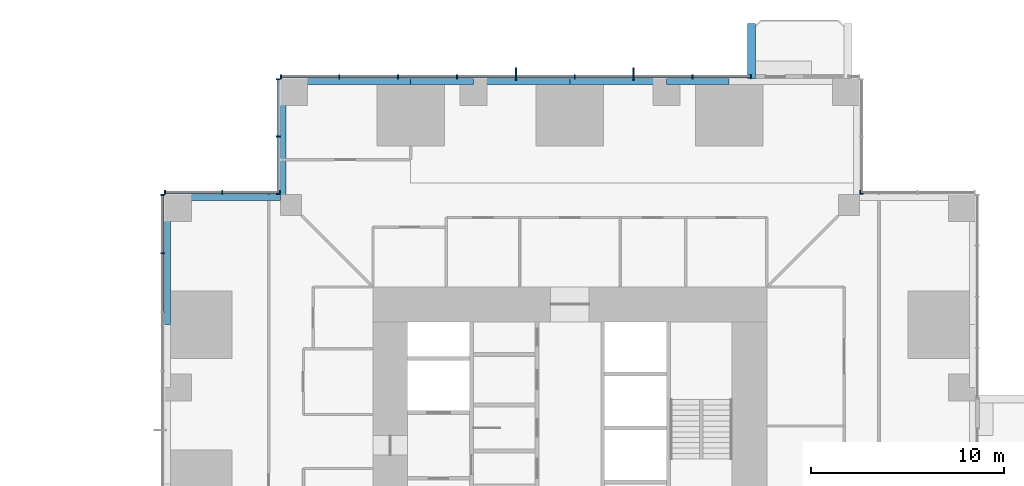
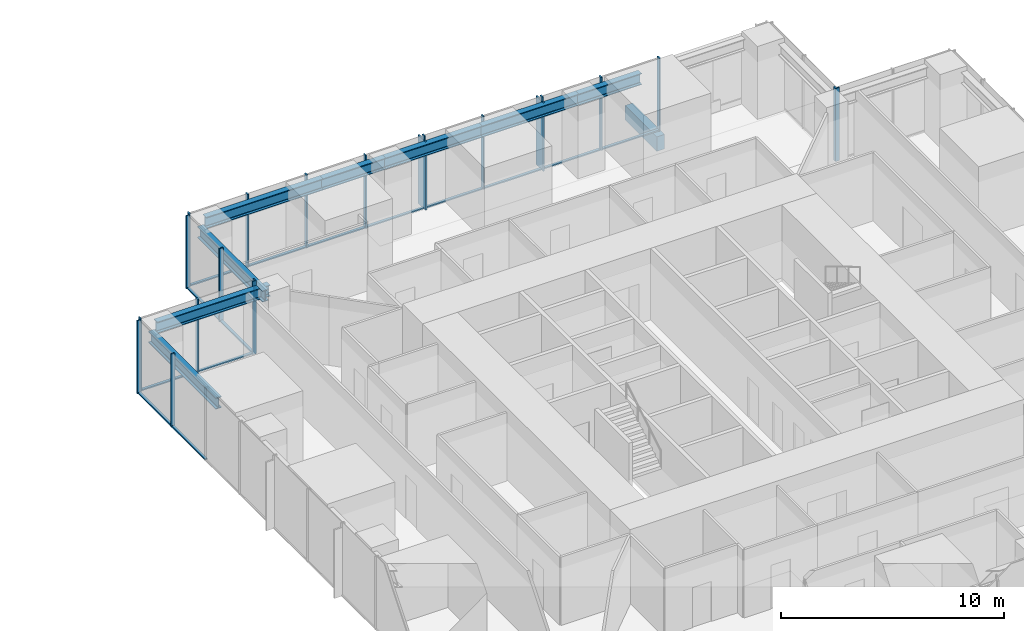
# One storey, part 4 of 16: 35 members, 9 beams, 6 elements without a shape of their own.
"""IFC4 building model written with IfcOpenShell, lengths in metres."""

import ifcopenshell
import ifcopenshell.guid

model = None  # the IFC model being written
_history = None  # IfcOwnerHistory: only IFC2X3 demands one
_inside = {}  # id of a spatial element -> (the spatial element, [elements in it])
_under = {}  # id of a project, library or spatial element -> (it, [spatial elements below it])
_declared = {}  # id of a project -> (the project, [libraries it declares])
_typed = {}  # id of a type object -> (the type object, [elements of that type])
_made_of = {}  # id of a material, layer set ... -> (it, [elements and type objects made of it])


def new_model(schema):
    """Start an empty IFC model of exactly this schema.

    Asked for "IFC4X3", IfcOpenShell would pick the latest addendum, in which some entities
    have other attributes; the version numbers below select the first issue.
    IFC2X3 requires an IfcOwnerHistory on every rooted entity: one is made here for all.
    """
    global model, _history
    if schema == "IFC4X3":
        model = ifcopenshell.file(schema_version=(4, 3, 0, 0))
    else:
        model = ifcopenshell.file(schema=schema)
    _inside.clear()
    _under.clear()
    _declared.clear()
    _typed.clear()
    _made_of.clear()
    _history = None
    if model.schema == "IFC2X3":
        org = make("IfcOrganization", Name="unknown")
        user = make(
            "IfcPersonAndOrganization",
            ThePerson=make("IfcPerson", FamilyName="unknown"),
            TheOrganization=org,
        )
        app = make(
            "IfcApplication",
            ApplicationDeveloper=org,
            Version="unknown",
            ApplicationFullName="unknown",
            ApplicationIdentifier="unknown",
        )
        _history = make(
            "IfcOwnerHistory",
            OwningUser=user,
            OwningApplication=app,
            ChangeAction="ADDED",
            CreationDate=0,
        )
    return model


def make(cls, **values):
    """One entity of the class cls with the attributes given. An attribute that is None is left unset."""
    return model.create_entity(
        cls, **{name: value for name, value in values.items() if value is not None}
    )


def rooted(cls, **values):
    """An entity with a GlobalId (a new one), such as an element, a storey or a relation."""
    return make(cls, GlobalId=ifcopenshell.guid.new(), OwnerHistory=_history, **values)


def si_unit(unit_type, name, prefix=None):
    """IfcSIUnit, for example si_unit("LENGTHUNIT", "METRE", prefix="MILLI")."""
    return make("IfcSIUnit", UnitType=unit_type, Prefix=prefix, Name=name)


def assignment(units):
    """IfcUnitAssignment: the units of a project."""
    return None if units is None else make("IfcUnitAssignment", Units=units)


def point(xyz):
    """IfcCartesianPoint."""
    return None if xyz is None else make("IfcCartesianPoint", Coordinates=xyz)


def direction(xyz):
    """IfcDirection."""
    return None if xyz is None else make("IfcDirection", DirectionRatios=xyz)


def frame(location, z_axis=None, x_axis=None):
    """IfcAxis2Placement3D, a coordinate frame: its origin and axes. An axis left out is left unset."""
    return make(
        "IfcAxis2Placement3D",
        Location=point(location),
        Axis=direction(z_axis),
        RefDirection=direction(x_axis),
    )


def frame_2d(location, x_axis=None):
    """IfcAxis2Placement2D, a coordinate frame in the plane: its origin and x axis."""
    return make(
        "IfcAxis2Placement2D", Location=point(location), RefDirection=direction(x_axis)
    )


def origin():
    """The frame at (0, 0, 0) with its axes left unset."""
    return frame((0.0, 0.0, 0.0))


def origin_2d():
    """The frame at (0, 0) in the plane with its x axis left unset."""
    return frame_2d((0.0, 0.0))


def place(relative_to, where):
    """IfcLocalPlacement: puts the frame where relative to a parent placement (None: the world)."""
    return make(
        "IfcLocalPlacement", PlacementRelTo=relative_to, RelativePlacement=where
    )


def context(
    kind, dimensions, precision=None, world=None, true_north=None, identifier=None
):
    """IfcGeometricRepresentationContext, for example the 3D "Model" context."""
    return make(
        "IfcGeometricRepresentationContext",
        ContextIdentifier=identifier,
        ContextType=kind,
        CoordinateSpaceDimension=dimensions,
        Precision=precision,
        WorldCoordinateSystem=world,
        TrueNorth=true_north,
    )


def subcontext(parent, identifier, kind, view, scale=None):
    """IfcGeometricRepresentationSubContext, for example "Body" below "Model"."""
    return make(
        "IfcGeometricRepresentationSubContext",
        ContextIdentifier=identifier,
        ContextType=kind,
        ParentContext=parent,
        TargetScale=scale,
        TargetView=view,
    )


def project(units=None, contexts=None):
    """IfcProject with its units and contexts."""
    return rooted(
        "IfcProject",
        Name="project",
        RepresentationContexts=contexts,
        UnitsInContext=assignment(units),
    )


def spatial(cls, under=None, at=None, **own):
    """A site, building, storey or space (cls), placed at a placement, below another one or the project."""
    s = rooted(cls, ObjectPlacement=at, **own)
    if under is not None:
        _under.setdefault(under.id(), (under, []))[1].append(s)
    return s


def profile(cls, at=None, kind="AREA", **sizes):
    """A parametric profile (cls). Its sizes go by their IFC names, for example OverallWidth=200.0."""
    return make(cls, ProfileType=kind, Position=at, **sizes)


def rectangle(**sizes):
    """IfcRectangleProfileDef."""
    return profile("IfcRectangleProfileDef", **sizes)


def i_section(**sizes):
    """IfcIShapeProfileDef."""
    return profile("IfcIShapeProfileDef", **sizes)


def extrude(swept, where, along, depth):
    """IfcExtrudedAreaSolid: the profile swept, set in the frame where, extruded along a direction by depth."""
    return make(
        "IfcExtrudedAreaSolid",
        SweptArea=swept,
        Position=where,
        ExtrudedDirection=direction(along),
        Depth=depth,
    )


def shape(context_of_items, identifier, shape_type, items):
    """IfcShapeRepresentation: the items that make up one representation, for example the "Body"."""
    return make(
        "IfcShapeRepresentation",
        ContextOfItems=context_of_items,
        RepresentationIdentifier=identifier,
        RepresentationType=shape_type,
        Items=items,
    )


def material(Name=None, Category=None):
    """IfcMaterial."""
    return make("IfcMaterial", Name=Name, Category=Category)


def material_profile(
    of_material, cross_section, Name=None, Category=None, Priority=None
):
    """IfcMaterialProfile: a cross section and its material."""
    return make(
        "IfcMaterialProfile",
        Name=Name,
        Material=of_material,
        Profile=cross_section,
        Priority=Priority,
        Category=Category,
    )


def profile_set(profiles, Name=None, composite=None):
    """IfcMaterialProfileSet."""
    return make(
        "IfcMaterialProfileSet",
        Name=Name,
        MaterialProfiles=profiles,
        CompositeProfile=composite,
    )


def made_of(thing, what):
    """Note that an element or type object is made of a material, layer set ...; save() writes the relation."""
    if what is not None:
        _made_of.setdefault(what.id(), (what, []))[1].append(thing)
    return thing


def type_object(cls, material=None, **own):
    """A type object (cls), such as IfcWallType, which elements share."""
    return made_of(rooted(cls, **own), material)


def element(
    cls,
    number,
    at=None,
    inside=None,
    cuts=None,
    type_object=None,
    material=None,
    context=None,
    identifier="Body",
    shape_type=None,
    held_by="IfcProductDefinitionShape",
    body=None,
    shapes=None,
    **own,
):
    """One element of the class cls, such as IfcWall. Its Tag is "e" and its number.

    at: its placement. inside: the storey or other place that contains it. cuts: it is an
    opening in that element (IfcRelVoidsElement). A single representation is given by context,
    identifier, shape_type and body (its items); several are given by shapes. held_by: the class
    of the entity that holds the representations. save() writes the other relations.
    """
    e = rooted(cls, Tag="e%d" % number, ObjectPlacement=at, **own)
    if body is not None:
        shapes = [shape(context, identifier, shape_type, body)]
    if shapes is not None:
        e.Representation = make(held_by, Representations=shapes)
    if inside is not None:
        _inside.setdefault(inside.id(), (inside, []))[1].append(e)
    if cuts is not None:
        rooted(
            "IfcRelVoidsElement", RelatingBuildingElement=cuts, RelatedOpeningElement=e
        )
    if type_object is not None:
        _typed.setdefault(type_object.id(), (type_object, []))[1].append(e)
    return made_of(e, material)


def aggregate(whole, parts):
    """IfcRelAggregates: a whole, such as a stair, and the parts it consists of."""
    return rooted("IfcRelAggregates", RelatingObject=whole, RelatedObjects=parts)


def save(model, path):
    """Write the relations noted so far, then the file.

    IfcRelAggregates (storeys below a building ...), IfcRelContainedInSpatialStructure (elements
    in a storey), IfcRelDefinesByType, IfcRelAssociatesMaterial and IfcRelDeclares: one each for
    every whole, place, type object, material and project.
    """
    for whole, parts in _under.values():
        aggregate(whole, parts)
    for where, things in _inside.values():
        rooted(
            "IfcRelContainedInSpatialStructure",
            RelatedElements=things,
            RelatingStructure=where,
        )
    for kind, things in _typed.values():
        rooted("IfcRelDefinesByType", RelatedObjects=things, RelatingType=kind)
    for what, things in _made_of.values():
        rooted("IfcRelAssociatesMaterial", RelatedObjects=things, RelatingMaterial=what)
    for by, libraries in _declared.values():
        rooted("IfcRelDeclares", RelatingContext=by, RelatedDefinitions=libraries)
    model.write(path)


model = new_model("IFC4")

# Units and contexts
model_context = context("Model", 3, precision=1e-05, world=origin(), true_north=direction((0.0, 1.0)))
body_context = subcontext(model_context, "Body", "Model", "MODEL_VIEW")
ifc_project = project(units=[si_unit("LENGTHUNIT", "METRE"), si_unit("AREAUNIT", "SQUARE_METRE"), si_unit("VOLUMEUNIT", "CUBIC_METRE"), si_unit("PLANEANGLEUNIT", "RADIAN"), si_unit("MASSUNIT", "GRAM", prefix="KILO")], contexts=[model_context])

# Site, building, storey
site_placement = place(None, origin())
site = spatial("IfcSite", under=ifc_project, at=site_placement, CompositionType="ELEMENT")
building_placement = place(site_placement, origin())
building = spatial("IfcBuilding", under=site, at=building_placement, Name="Svetlomir Tower", CompositionType="ELEMENT")
storey_placement = place(building_placement, frame((0.0, 0.0, 22.5)))
storey = spatial("IfcBuildingStorey", under=building, at=storey_placement, Name="L04", CompositionType="ELEMENT", Elevation=22.5)

# Beam
ifc_material_1 = material(Name="Concrete C60/75", Category="concrete")
ifc_material_profile_1 = material_profile(ifc_material_1, rectangle(XDim=0.39990234375, YDim=0.800048828125, at=origin_2d()), Name="RC 400x800")
ifc_profile_set_1 = profile_set([ifc_material_profile_1], Name="Concrete C60/75")
beam_type_1 = type_object("IfcBeamType", Name="BALCONY RIB RC 400x800", PredefinedType="BEAM", material=ifc_profile_set_1)
beam_1_placement = place(storey_placement, frame((30.39990234375, 42.0, -0.64990234375), z_axis=(0.0, 1.0, 0.0), x_axis=(-1.0, 0.0, 0.0)))
element("IfcBeam", 1, at=beam_1_placement, inside=storey, type_object=beam_type_1, Name="Balcony rib N 1 L04", PredefinedType="BEAM", context=body_context, shape_type="SweptSolid", body=[
    extrude(rectangle(XDim=0.39990234375, YDim=0.800048828125, at=origin_2d()), origin(), (0.0, 0.0, 1.0), 2.85009765625),
])

# Curtain wall, members
ifc_material_2 = material(Name="Bronze anodised aluminium curtain wall", Category="aluminium")
curtain_wall_type = type_object("IfcCurtainWallType", Name="CURTAIN WALL CW1 TOWER OFFICE", PredefinedType="NOTDEFINED", material=ifc_material_2)
curtain_wall_1_placement = place(storey_placement, origin())
curtain_wall_1 = element("IfcCurtainWall", 2, at=curtain_wall_1_placement, inside=storey, type_object=curtain_wall_type, Name="Curtain wall CW1 L04", PredefinedType="NOTDEFINED")
ifc_material_3 = material(Name="Bronze anodised aluminium", Category="aluminium")
ifc_material_profile_2 = material_profile(ifc_material_3, rectangle(XDim=0.080078125, YDim=0.64990234375, at=origin_2d()), Name="FIN 80x650")
ifc_profile_set_2 = profile_set([ifc_material_profile_2], Name="Bronze anodised aluminium 6063-T6")
member_type_1 = type_object("IfcMemberType", Name="BRONZE FIN 80x650", PredefinedType="USERDEFINED", material=ifc_profile_set_2)
member_1_placement = place(storey_placement, frame((24.300048828125, 42.22509765625, 0.0), z_axis=(0.0, 0.0, 1.0), x_axis=(1.0, 0.0, 0.0)))
member_1 = element("IfcMember", 3, at=member_1_placement, type_object=member_type_1, Name="Bronze fin L04", ObjectType="FIN", PredefinedType="USERDEFINED", context=body_context, shape_type="SweptSolid", body=[
    extrude(rectangle(XDim=0.080078125, YDim=0.64990234375, at=origin_2d()), origin(), (0.0, 0.0, 1.0), 3.75),
])
member_2_placement = place(storey_placement, frame((18.199951171875, 42.22509765625, 0.0), z_axis=(0.0, 0.0, 1.0), x_axis=(1.0, 0.0, 0.0)))
member_2 = element("IfcMember", 4, at=member_2_placement, type_object=member_type_1, Name="Bronze fin L04", ObjectType="FIN", PredefinedType="USERDEFINED", context=body_context, shape_type="SweptSolid", body=[
    extrude(rectangle(XDim=0.080078125, YDim=0.64990234375, at=origin_2d()), origin(), (0.0, 0.0, 1.0), 3.75),
])

# Curtain wall, member
curtain_wall_2_placement = place(storey_placement, origin())
curtain_wall_2 = element("IfcCurtainWall", 5, at=curtain_wall_2_placement, inside=storey, type_object=curtain_wall_type, Name="Curtain wall CW1 L04", PredefinedType="NOTDEFINED")
ifc_material_4 = material(Name="Bronze anodised aluminium", Category="aluminium")
ifc_material_profile_3 = material_profile(ifc_material_4, rectangle(XDim=0.06494140625, YDim=0.199951171875, at=origin_2d()), Name="AL 65x200")
ifc_profile_set_3 = profile_set([ifc_material_profile_3], Name="Bronze anodised aluminium 6063-T6")
member_type_2 = type_object("IfcMemberType", Name="CW1 MULLION 65x200", PredefinedType="MULLION", material=ifc_profile_set_3)
member_3_placement = place(storey_placement, frame((36.032470703125, 36.10009765625, 0.0), z_axis=(0.0, 0.0, 1.0), x_axis=(-1.0, 0.0, 0.0)))
member_3 = element("IfcMember", 6, at=member_3_placement, type_object=member_type_2, Name="CW1 mullion 3", PredefinedType="MULLION", context=body_context, shape_type="SweptSolid", body=[
    extrude(rectangle(XDim=0.06494140625, YDim=0.199951171875, at=origin_2d()), origin(), (0.0, 0.0, 1.0), 4.0),
])
aggregate(curtain_wall_2, [member_3])

curtain_wall_3_placement = place(storey_placement, origin())
curtain_wall_3 = element("IfcCurtainWall", 7, at=curtain_wall_3_placement, inside=storey, type_object=curtain_wall_type, Name="Curtain wall CW1 L04", PredefinedType="NOTDEFINED")
member_4_placement = place(storey_placement, frame((36.10009765625, 36.032470703125, 0.0), z_axis=(0.0, 0.0, 1.0), x_axis=(0.0, 1.0, 0.0)))
member_4 = element("IfcMember", 8, at=member_4_placement, type_object=member_type_2, Name="CW1 mullion 1", PredefinedType="MULLION", context=body_context, shape_type="SweptSolid", body=[
    extrude(rectangle(XDim=0.06494140625, YDim=0.199951171875, at=origin_2d()), origin(), (0.0, 0.0, 1.0), 4.0),
])
aggregate(curtain_wall_3, [member_4])

# Member
member_5_placement = place(storey_placement, frame((30.367431640625, 42.10009765625, 0.0), z_axis=(0.0, 0.0, 1.0), x_axis=(-1.0, 0.0, 0.0)))
member_5 = element("IfcMember", 9, at=member_5_placement, type_object=member_type_2, Name="CW1 mullion 1", PredefinedType="MULLION", context=body_context, shape_type="SweptSolid", body=[
    extrude(rectangle(XDim=0.06494140625, YDim=0.199951171875, at=origin_2d()), origin(), (0.0, 0.0, 1.0), 4.0),
])

member_6_placement = place(storey_placement, frame((27.35009765625, 42.10009765625, 0.0), z_axis=(0.0, 0.0, 1.0), x_axis=(-1.0, 0.0, 0.0)))
member_6 = element("IfcMember", 10, at=member_6_placement, type_object=member_type_2, Name="CW1 mullion 2", PredefinedType="MULLION", context=body_context, shape_type="SweptSolid", body=[
    extrude(rectangle(XDim=0.06494140625, YDim=0.199951171875, at=origin_2d()), origin(), (0.0, 0.0, 1.0), 4.0),
])

member_7_placement = place(storey_placement, frame((24.300048828125, 42.10009765625, 0.0), z_axis=(0.0, 0.0, 1.0), x_axis=(-1.0, 0.0, 0.0)))
member_7 = element("IfcMember", 11, at=member_7_placement, type_object=member_type_2, Name="CW1 mullion 3", PredefinedType="MULLION", context=body_context, shape_type="SweptSolid", body=[
    extrude(rectangle(XDim=0.06494140625, YDim=0.199951171875, at=origin_2d()), origin(), (0.0, 0.0, 1.0), 4.0),
])

member_8_placement = place(storey_placement, frame((21.25, 42.10009765625, 0.0), z_axis=(0.0, 0.0, 1.0), x_axis=(-1.0, 0.0, 0.0)))
member_8 = element("IfcMember", 12, at=member_8_placement, type_object=member_type_2, Name="CW1 mullion 4", PredefinedType="MULLION", context=body_context, shape_type="SweptSolid", body=[
    extrude(rectangle(XDim=0.06494140625, YDim=0.199951171875, at=origin_2d()), origin(), (0.0, 0.0, 1.0), 4.0),
])

member_9_placement = place(storey_placement, frame((18.199951171875, 42.10009765625, 0.0), z_axis=(0.0, 0.0, 1.0), x_axis=(-1.0, 0.0, 0.0)))
member_9 = element("IfcMember", 13, at=member_9_placement, type_object=member_type_2, Name="CW1 mullion 5", PredefinedType="MULLION", context=body_context, shape_type="SweptSolid", body=[
    extrude(rectangle(XDim=0.06494140625, YDim=0.199951171875, at=origin_2d()), origin(), (0.0, 0.0, 1.0), 4.0),
])

member_10_placement = place(storey_placement, frame((15.14990234375, 42.10009765625, 0.0), z_axis=(0.0, 0.0, 1.0), x_axis=(-1.0, 0.0, 0.0)))
member_10 = element("IfcMember", 14, at=member_10_placement, type_object=member_type_2, Name="CW1 mullion 6", PredefinedType="MULLION", context=body_context, shape_type="SweptSolid", body=[
    extrude(rectangle(XDim=0.06494140625, YDim=0.199951171875, at=origin_2d()), origin(), (0.0, 0.0, 1.0), 4.0),
])

member_11_placement = place(storey_placement, frame((12.10009765625, 42.10009765625, 0.0), z_axis=(0.0, 0.0, 1.0), x_axis=(-1.0, 0.0, 0.0)))
member_11 = element("IfcMember", 15, at=member_11_placement, type_object=member_type_2, Name="CW1 mullion 7", PredefinedType="MULLION", context=body_context, shape_type="SweptSolid", body=[
    extrude(rectangle(XDim=0.06494140625, YDim=0.199951171875, at=origin_2d()), origin(), (0.0, 0.0, 1.0), 4.0),
])

member_12_placement = place(storey_placement, frame((9.050048828125, 42.10009765625, 0.0), z_axis=(0.0, 0.0, 1.0), x_axis=(-1.0, 0.0, 0.0)))
member_12 = element("IfcMember", 16, at=member_12_placement, type_object=member_type_2, Name="CW1 mullion 8", PredefinedType="MULLION", context=body_context, shape_type="SweptSolid", body=[
    extrude(rectangle(XDim=0.06494140625, YDim=0.199951171875, at=origin_2d()), origin(), (0.0, 0.0, 1.0), 4.0),
])

member_13_placement = place(storey_placement, frame((6.032470703125, 42.10009765625, 0.0), z_axis=(0.0, 0.0, 1.0), x_axis=(-1.0, 0.0, 0.0)))
member_13 = element("IfcMember", 17, at=member_13_placement, type_object=member_type_2, Name="CW1 mullion 9", PredefinedType="MULLION", context=body_context, shape_type="SweptSolid", body=[
    extrude(rectangle(XDim=0.06494140625, YDim=0.199951171875, at=origin_2d()), origin(), (0.0, 0.0, 1.0), 4.0),
])

# Curtain wall, members
curtain_wall_4_placement = place(storey_placement, origin())
curtain_wall_4 = element("IfcCurtainWall", 18, at=curtain_wall_4_placement, inside=storey, type_object=curtain_wall_type, Name="Curtain wall CW1 L04", PredefinedType="NOTDEFINED")
member_14_placement = place(storey_placement, frame((5.89990234375, 41.967529296875, 0.0), z_axis=(0.0, 0.0, 1.0), x_axis=(0.0, -1.0, 0.0)))
member_14 = element("IfcMember", 19, at=member_14_placement, type_object=member_type_2, Name="CW1 mullion 1", PredefinedType="MULLION", context=body_context, shape_type="SweptSolid", body=[
    extrude(rectangle(XDim=0.06494140625, YDim=0.199951171875, at=origin_2d()), origin(), (0.0, 0.0, 1.0), 4.0),
])
member_15_placement = place(storey_placement, frame((5.89990234375, 39.0, 0.0), z_axis=(0.0, 0.0, 1.0), x_axis=(0.0, -1.0, 0.0)))
member_15 = element("IfcMember", 20, at=member_15_placement, type_object=member_type_2, Name="CW1 mullion 2", PredefinedType="MULLION", context=body_context, shape_type="SweptSolid", body=[
    extrude(rectangle(XDim=0.06494140625, YDim=0.199951171875, at=origin_2d()), origin(), (0.0, 0.0, 1.0), 4.0),
])
member_16_placement = place(storey_placement, frame((5.89990234375, 36.032470703125, 0.0), z_axis=(0.0, 0.0, 1.0), x_axis=(0.0, -1.0, 0.0)))
member_16 = element("IfcMember", 21, at=member_16_placement, type_object=member_type_2, Name="CW1 mullion 3", PredefinedType="MULLION", context=body_context, shape_type="SweptSolid", body=[
    extrude(rectangle(XDim=0.06494140625, YDim=0.199951171875, at=origin_2d()), origin(), (0.0, 0.0, 1.0), 4.0),
])

curtain_wall_5_placement = place(storey_placement, origin())
curtain_wall_5 = element("IfcCurtainWall", 22, at=curtain_wall_5_placement, inside=storey, type_object=curtain_wall_type, Name="Curtain wall CW1 L04", PredefinedType="NOTDEFINED")
member_17_placement = place(storey_placement, frame((5.967529296875, 36.10009765625, 0.0), z_axis=(0.0, 0.0, 1.0), x_axis=(-1.0, 0.0, 0.0)))
member_17 = element("IfcMember", 23, at=member_17_placement, type_object=member_type_2, Name="CW1 mullion 1", PredefinedType="MULLION", context=body_context, shape_type="SweptSolid", body=[
    extrude(rectangle(XDim=0.06494140625, YDim=0.199951171875, at=origin_2d()), origin(), (0.0, 0.0, 1.0), 4.0),
])
member_18_placement = place(storey_placement, frame((3.0, 36.10009765625, 0.0), z_axis=(0.0, 0.0, 1.0), x_axis=(-1.0, 0.0, 0.0)))
member_18 = element("IfcMember", 24, at=member_18_placement, type_object=member_type_2, Name="CW1 mullion 2", PredefinedType="MULLION", context=body_context, shape_type="SweptSolid", body=[
    extrude(rectangle(XDim=0.06494140625, YDim=0.199951171875, at=origin_2d()), origin(), (0.0, 0.0, 1.0), 4.0),
])
member_19_placement = place(storey_placement, frame((0.032470703125, 36.10009765625, 0.0), z_axis=(0.0, 0.0, 1.0), x_axis=(-1.0, 0.0, 0.0)))
member_19 = element("IfcMember", 25, at=member_19_placement, type_object=member_type_2, Name="CW1 mullion 3", PredefinedType="MULLION", context=body_context, shape_type="SweptSolid", body=[
    extrude(rectangle(XDim=0.06494140625, YDim=0.199951171875, at=origin_2d()), origin(), (0.0, 0.0, 1.0), 4.0),
])

curtain_wall_6_placement = place(storey_placement, origin())
curtain_wall_6 = element("IfcCurtainWall", 26, at=curtain_wall_6_placement, inside=storey, type_object=curtain_wall_type, Name="Curtain wall CW1 L04", PredefinedType="NOTDEFINED")
member_20_placement = place(storey_placement, frame((-0.10009765625, 35.967529296875, 0.0), z_axis=(0.0, 0.0, 1.0), x_axis=(0.0, -1.0, 0.0)))
member_20 = element("IfcMember", 27, at=member_20_placement, type_object=member_type_2, Name="CW1 mullion 1", PredefinedType="MULLION", context=body_context, shape_type="SweptSolid", body=[
    extrude(rectangle(XDim=0.06494140625, YDim=0.199951171875, at=origin_2d()), origin(), (0.0, 0.0, 1.0), 4.0),
])
member_21_placement = place(storey_placement, frame((-0.10009765625, 32.949951171875, 0.0), z_axis=(0.0, 0.0, 1.0), x_axis=(0.0, -1.0, 0.0)))
member_21 = element("IfcMember", 28, at=member_21_placement, type_object=member_type_2, Name="CW1 mullion 2", PredefinedType="MULLION", context=body_context, shape_type="SweptSolid", body=[
    extrude(rectangle(XDim=0.06494140625, YDim=0.199951171875, at=origin_2d()), origin(), (0.0, 0.0, 1.0), 4.0),
])

# Member
ifc_material_5 = material(Name="Bronze anodised aluminium", Category="aluminium")
ifc_material_profile_4 = material_profile(ifc_material_5, rectangle(XDim=0.139892578125, YDim=0.06494140625, at=origin_2d()), Name="AL 140x65")
ifc_profile_set_4 = profile_set([ifc_material_profile_4], Name="Bronze anodised aluminium 6063-T6")
member_type_3 = type_object("IfcMemberType", Name="CW1 TRANSOM 65x140", PredefinedType="USERDEFINED", material=ifc_profile_set_4)
member_22_placement = place(storey_placement, frame((30.3349609375, 42.10009765625, 0.032470703125), z_axis=(-1.0, 0.0, 0.0), x_axis=(0.0, -1.0, 0.0)))
member_22 = element("IfcMember", 29, at=member_22_placement, type_object=member_type_3, Name="CW1 transom 1.1", ObjectType="TRANSOM", PredefinedType="USERDEFINED", context=body_context, shape_type="SweptSolid", body=[
    extrude(rectangle(XDim=0.139892578125, YDim=0.06494140625, at=origin_2d()), origin(), (0.0, 0.0, 1.0), 2.952392578125),
])

member_23_placement = place(storey_placement, frame((27.3173828125, 42.10009765625, 0.032470703125), z_axis=(-1.0, 0.0, 0.0), x_axis=(0.0, -1.0, 0.0)))
member_23 = element("IfcMember", 30, at=member_23_placement, type_object=member_type_3, Name="CW1 transom 2.1", ObjectType="TRANSOM", PredefinedType="USERDEFINED", context=body_context, shape_type="SweptSolid", body=[
    extrude(rectangle(XDim=0.139892578125, YDim=0.06494140625, at=origin_2d()), origin(), (0.0, 0.0, 1.0), 2.98486328125),
])

member_24_placement = place(storey_placement, frame((24.267578125, 42.10009765625, 0.032470703125), z_axis=(-1.0, 0.0, 0.0), x_axis=(0.0, -1.0, 0.0)))
member_24 = element("IfcMember", 31, at=member_24_placement, type_object=member_type_3, Name="CW1 transom 3.1", ObjectType="TRANSOM", PredefinedType="USERDEFINED", context=body_context, shape_type="SweptSolid", body=[
    extrude(rectangle(XDim=0.139892578125, YDim=0.06494140625, at=origin_2d()), origin(), (0.0, 0.0, 1.0), 2.985107421875),
])

member_25_placement = place(storey_placement, frame((21.217529296875, 42.10009765625, 0.032470703125), z_axis=(-1.0, 0.0, 0.0), x_axis=(0.0, -1.0, 0.0)))
member_25 = element("IfcMember", 32, at=member_25_placement, type_object=member_type_3, Name="CW1 transom 4.1", ObjectType="TRANSOM", PredefinedType="USERDEFINED", context=body_context, shape_type="SweptSolid", body=[
    extrude(rectangle(XDim=0.139892578125, YDim=0.06494140625, at=origin_2d()), origin(), (0.0, 0.0, 1.0), 2.985107421875),
])

member_26_placement = place(storey_placement, frame((18.16748046875, 42.10009765625, 0.032470703125), z_axis=(-1.0, 0.0, 0.0), x_axis=(0.0, -1.0, 0.0)))
member_26 = element("IfcMember", 33, at=member_26_placement, type_object=member_type_3, Name="CW1 transom 5.1", ObjectType="TRANSOM", PredefinedType="USERDEFINED", context=body_context, shape_type="SweptSolid", body=[
    extrude(rectangle(XDim=0.139892578125, YDim=0.06494140625, at=origin_2d()), origin(), (0.0, 0.0, 1.0), 2.98486328125),
])

member_27_placement = place(storey_placement, frame((15.117431640625, 42.10009765625, 0.032470703125), z_axis=(-1.0, 0.0, 0.0), x_axis=(0.0, -1.0, 0.0)))
member_27 = element("IfcMember", 34, at=member_27_placement, type_object=member_type_3, Name="CW1 transom 6.1", ObjectType="TRANSOM", PredefinedType="USERDEFINED", context=body_context, shape_type="SweptSolid", body=[
    extrude(rectangle(XDim=0.139892578125, YDim=0.06494140625, at=origin_2d()), origin(), (0.0, 0.0, 1.0), 2.98486328125),
])

member_28_placement = place(storey_placement, frame((12.0673828125, 42.10009765625, 0.032470703125), z_axis=(-1.0, 0.0, 0.0), x_axis=(0.0, -1.0, 0.0)))
member_28 = element("IfcMember", 35, at=member_28_placement, type_object=member_type_3, Name="CW1 transom 7.1", ObjectType="TRANSOM", PredefinedType="USERDEFINED", context=body_context, shape_type="SweptSolid", body=[
    extrude(rectangle(XDim=0.139892578125, YDim=0.06494140625, at=origin_2d()), origin(), (0.0, 0.0, 1.0), 2.98486328125),
])

member_29_placement = place(storey_placement, frame((9.017578125, 42.10009765625, 0.032470703125), z_axis=(-1.0, 0.0, 0.0), x_axis=(0.0, -1.0, 0.0)))
member_29 = element("IfcMember", 36, at=member_29_placement, type_object=member_type_3, Name="CW1 transom 8.1", ObjectType="TRANSOM", PredefinedType="USERDEFINED", context=body_context, shape_type="SweptSolid", body=[
    extrude(rectangle(XDim=0.139892578125, YDim=0.06494140625, at=origin_2d()), origin(), (0.0, 0.0, 1.0), 2.95263671875),
])

aggregate(curtain_wall_1, [member_5, member_6, member_7, member_8, member_9, member_10, member_11, member_12, member_13, member_22, member_23, member_24, member_25, member_26, member_27, member_28, member_29, member_1, member_2])

member_30_placement = place(storey_placement, frame((5.89990234375, 41.93505859375, 0.032470703125), z_axis=(0.0, -1.0, 0.0), x_axis=(1.0, 0.0, 0.0)))
member_30 = element("IfcMember", 37, at=member_30_placement, type_object=member_type_3, Name="CW1 transom 1.1", ObjectType="TRANSOM", PredefinedType="USERDEFINED", context=body_context, shape_type="SweptSolid", body=[
    extrude(rectangle(XDim=0.139892578125, YDim=0.06494140625, at=origin_2d()), origin(), (0.0, 0.0, 1.0), 2.902587890625),
])

member_31_placement = place(storey_placement, frame((5.89990234375, 38.967529296875, 0.032470703125), z_axis=(0.0, -1.0, 0.0), x_axis=(1.0, 0.0, 0.0)))
member_31 = element("IfcMember", 38, at=member_31_placement, type_object=member_type_3, Name="CW1 transom 2.1", ObjectType="TRANSOM", PredefinedType="USERDEFINED", context=body_context, shape_type="SweptSolid", body=[
    extrude(rectangle(XDim=0.139892578125, YDim=0.06494140625, at=origin_2d()), origin(), (0.0, 0.0, 1.0), 2.902587890625),
])

aggregate(curtain_wall_4, [member_14, member_15, member_16, member_30, member_31])

member_32_placement = place(storey_placement, frame((5.93505859375, 36.10009765625, 0.032470703125), z_axis=(-1.0, 0.0, 0.0), x_axis=(0.0, -1.0, 0.0)))
member_32 = element("IfcMember", 39, at=member_32_placement, type_object=member_type_3, Name="CW1 transom 1.1", ObjectType="TRANSOM", PredefinedType="USERDEFINED", context=body_context, shape_type="SweptSolid", body=[
    extrude(rectangle(XDim=0.139892578125, YDim=0.06494140625, at=origin_2d()), origin(), (0.0, 0.0, 1.0), 2.902587890625),
])

member_33_placement = place(storey_placement, frame((2.967529296875, 36.10009765625, 0.032470703125), z_axis=(-1.0, 0.0, 0.0), x_axis=(0.0, -1.0, 0.0)))
member_33 = element("IfcMember", 40, at=member_33_placement, type_object=member_type_3, Name="CW1 transom 2.1", ObjectType="TRANSOM", PredefinedType="USERDEFINED", context=body_context, shape_type="SweptSolid", body=[
    extrude(rectangle(XDim=0.139892578125, YDim=0.06494140625, at=origin_2d()), origin(), (0.0, 0.0, 1.0), 2.902587890625),
])

aggregate(curtain_wall_5, [member_17, member_18, member_19, member_32, member_33])

member_34_placement = place(storey_placement, frame((-0.10009765625, 35.93505859375, 0.032470703125), z_axis=(0.0, -1.0, 0.0), x_axis=(1.0, 0.0, 0.0)))
member_34 = element("IfcMember", 41, at=member_34_placement, type_object=member_type_3, Name="CW1 transom 1.1", ObjectType="TRANSOM", PredefinedType="USERDEFINED", context=body_context, shape_type="SweptSolid", body=[
    extrude(rectangle(XDim=0.139892578125, YDim=0.06494140625, at=origin_2d()), origin(), (0.0, 0.0, 1.0), 2.95263671875),
])

member_35_placement = place(storey_placement, frame((-0.10009765625, 32.91748046875, 0.032470703125), z_axis=(0.0, -1.0, 0.0), x_axis=(1.0, 0.0, 0.0)))
member_35 = element("IfcMember", 42, at=member_35_placement, type_object=member_type_3, Name="CW1 transom 2.1", ObjectType="TRANSOM", PredefinedType="USERDEFINED", context=body_context, shape_type="SweptSolid", body=[
    extrude(rectangle(XDim=0.139892578125, YDim=0.06494140625, at=origin_2d()), origin(), (0.0, 0.0, 1.0), 2.98486328125),
])

aggregate(curtain_wall_6, [member_20, member_21, member_34, member_35])

# Beams
ifc_material_6 = material(Name="Steel S355", Category="steel")
ifc_material_profile_5 = material_profile(ifc_material_6, i_section(OverallWidth=0.304931640625, OverallDepth=0.6201171875, WebThickness=0.02099609375, FlangeThickness=0.0400390625, FilletRadius=0.027099609375, at=origin_2d()), Name="HEM 600")
ifc_profile_set_5 = profile_set([ifc_material_profile_5], Name="Steel S355")
beam_type_2 = type_object("IfcBeamType", Name="EDGE BEAM HEM 600", PredefinedType="SPANDREL", material=ifc_profile_set_5)
beam_2_placement = place(storey_placement, frame((6.699951171875, 41.847412109375, 3.43994140625), z_axis=(1.0, 0.0, 0.0), x_axis=(0.0, 1.0, 0.0)))
element("IfcBeam", 43, at=beam_2_placement, inside=storey, type_object=beam_type_2, Name="Edge beam 6/42 to 11/42 under L05", PredefinedType="SPANDREL", context=body_context, shape_type="SweptSolid", body=[
    extrude(i_section(OverallWidth=0.304931640625, OverallDepth=0.6201171875, WebThickness=0.02099609375, FlangeThickness=0.0400390625, FilletRadius=0.027099609375, at=origin_2d()), origin(), (0.0, 0.0, 1.0), 6.050048828125),
])
beam_3_placement = place(storey_placement, frame((12.75, 41.847412109375, 3.43994140625), z_axis=(1.0, 0.0, 0.0), x_axis=(0.0, 1.0, 0.0)))
element("IfcBeam", 44, at=beam_3_placement, inside=storey, type_object=beam_type_2, Name="Edge beam 11/42 to 16/42 under L05", PredefinedType="SPANDREL", context=body_context, shape_type="SweptSolid", body=[
    extrude(i_section(OverallWidth=0.304931640625, OverallDepth=0.6201171875, WebThickness=0.02099609375, FlangeThickness=0.0400390625, FilletRadius=0.027099609375, at=origin_2d()), origin(), (0.0, 0.0, 1.0), 3.25),
])
for number, where, z_axis, x_axis, name in (
    (45, (16.0, 41.847412109375, 3.43994140625), (1.0, 0.0, 0.0), (0.0, 1.0, 0.0), "Edge beam 16/42 to 21/42 under L05"),
    (46, (21.0, 41.847412109375, 3.43994140625), (1.0, 0.0, 0.0), (0.0, 1.0, 0.0), "Edge beam 21/42 to 26/42 under L05"),
):
    element("IfcBeam", number, at=place(storey_placement, frame(where, z_axis=z_axis, x_axis=x_axis)), inside=storey, type_object=beam_type_2, Name=name, PredefinedType="SPANDREL", context=body_context, shape_type="SweptSolid", body=[
        extrude(i_section(OverallWidth=0.304931640625, OverallDepth=0.6201171875, WebThickness=0.02099609375, FlangeThickness=0.0400390625, FilletRadius=0.027099609375, at=origin_2d()), origin(), (0.0, 0.0, 1.0), 5.0),
    ])
beam_4_placement = place(storey_placement, frame((26.0, 41.847412109375, 3.43994140625), z_axis=(1.0, 0.0, 0.0), x_axis=(0.0, 1.0, 0.0)))
element("IfcBeam", 47, at=beam_4_placement, inside=storey, type_object=beam_type_2, Name="Edge beam 26/42 to 31/42 under L05", PredefinedType="SPANDREL", context=body_context, shape_type="SweptSolid", body=[
    extrude(i_section(OverallWidth=0.304931640625, OverallDepth=0.6201171875, WebThickness=0.02099609375, FlangeThickness=0.0400390625, FilletRadius=0.027099609375, at=origin_2d()), origin(), (0.0, 0.0, 1.0), 3.25),
])
beam_5_placement = place(storey_placement, frame((0.152587890625, 29.25, 3.43994140625), z_axis=(0.0, 1.0, 0.0), x_axis=(-1.0, 0.0, 0.0)))
element("IfcBeam", 48, at=beam_5_placement, inside=storey, type_object=beam_type_2, Name="Edge beam 0/31 to 0/36 under L05", PredefinedType="SPANDREL", context=body_context, shape_type="SweptSolid", body=[
    extrude(i_section(OverallWidth=0.304931640625, OverallDepth=0.6201171875, WebThickness=0.02099609375, FlangeThickness=0.0400390625, FilletRadius=0.027099609375, at=origin_2d()), origin(), (0.0, 0.0, 1.0), 6.050048828125),
])
for number, where, z_axis, x_axis, name in (
    (49, (6.152587890625, 41.300048828125, 3.43994140625), (0.0, -1.0, 0.0), (1.0, 0.0, 0.0), "Edge beam 6/42 to 6/36 under L05"),
    (50, (0.699951171875, 35.847412109375, 3.43994140625), (1.0, 0.0, 0.0), (0.0, 1.0, 0.0), "Edge beam 0/36 to 6/36 under L05"),
):
    element("IfcBeam", number, at=place(storey_placement, frame(where, z_axis=z_axis, x_axis=x_axis)), inside=storey, type_object=beam_type_2, Name=name, PredefinedType="SPANDREL", context=body_context, shape_type="SweptSolid", body=[
        extrude(i_section(OverallWidth=0.304931640625, OverallDepth=0.6201171875, WebThickness=0.02099609375, FlangeThickness=0.0400390625, FilletRadius=0.027099609375, at=origin_2d()), origin(), (0.0, 0.0, 1.0), 5.85009765625),
    ])

save(model, "model.ifc")
